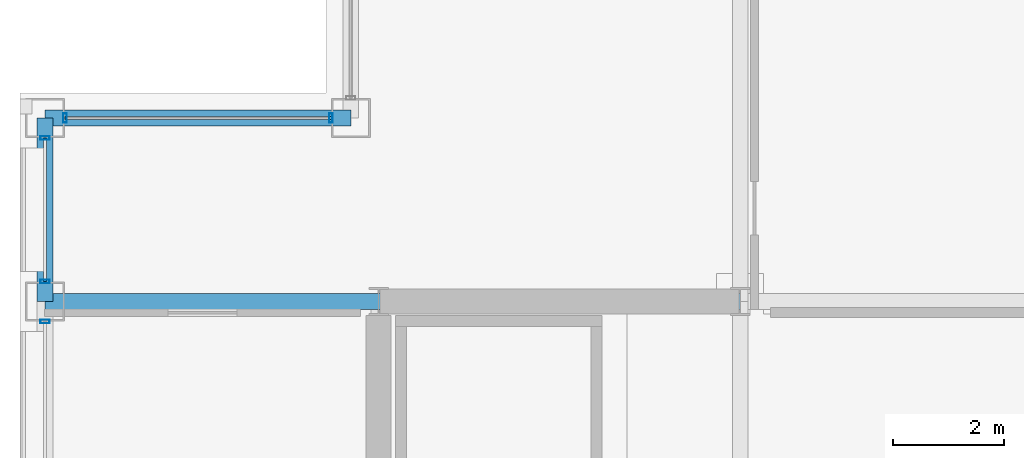
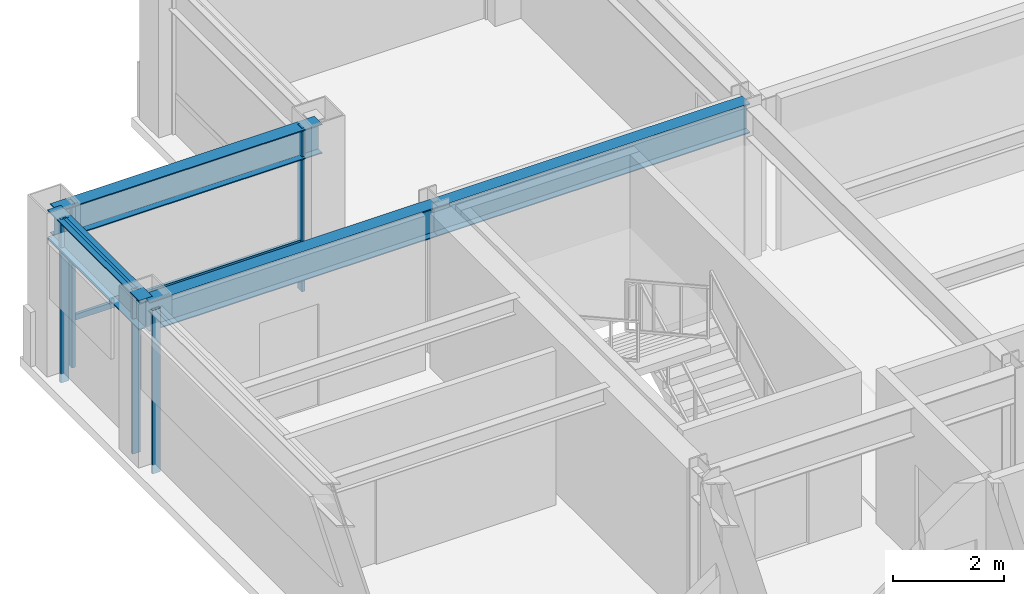
# One storey, part 10 of 28: 7 members, 4 beams, 3 elements without a shape of their own.
"""IFC4 building model written with IfcOpenShell, lengths in metres."""

from ifc_helpers import new_model, si_unit, direction, frame, origin, origin_2d, place, context, subcontext, project, spatial, hollow_rectangle, i_section, extrude, material, layer, layer_set, material_profile, profile_set, type_object, element, aggregate, save


model = new_model("IFC4")

# Units and contexts
model_context = context("Model", 3, precision=1e-05, world=origin(), true_north=direction((0.0, 1.0)))
body_context = subcontext(model_context, "Body", "Model", "MODEL_VIEW")
ifc_project = project(units=[si_unit("LENGTHUNIT", "METRE"), si_unit("AREAUNIT", "SQUARE_METRE"), si_unit("VOLUMEUNIT", "CUBIC_METRE"), si_unit("PLANEANGLEUNIT", "RADIAN"), si_unit("MASSUNIT", "GRAM", prefix="KILO")], contexts=[model_context])

# Site, building, storey
site_placement = place(None, origin())
site = spatial("IfcSite", under=ifc_project, at=site_placement, CompositionType="ELEMENT")
building_placement = place(site_placement, origin())
building = spatial("IfcBuilding", under=site, at=building_placement, Name="Brelmoor Portico Tower", CompositionType="ELEMENT")
storey_placement = place(building_placement, frame((0.0, 0.0, 191.10009765625)))
storey = spatial("IfcBuildingStorey", under=building, at=storey_placement, Name="L50", CompositionType="ELEMENT", Elevation=191.10009765625)

# Beams
ifc_material_1 = material(Name="Steel Q355B", Category="steel")
ifc_material_profile_1 = material_profile(ifc_material_1, i_section(OverallWidth=0.280029296875, OverallDepth=0.64990234375, WebThickness=0.012939453125, FlangeThickness=0.02197265625, at=origin_2d()), Name="HN 650x280x13x22")
ifc_profile_set_1 = profile_set([ifc_material_profile_1], Name="Steel Q355B")
beam_type_1 = type_object("IfcBeamType", Name="BM-PG-650", PredefinedType="BEAM", material=ifc_profile_set_1)
beam_1_placement = place(storey_placement, frame((-20.550048828125, 9.75, 3.074951171875), z_axis=(1.0, 0.0, 0.0), x_axis=(0.0, 1.0, 0.0)))
element("IfcBeam", 1, at=beam_1_placement, inside=storey, type_object=beam_type_1, Name="L50 Primary Floor Girder PG-19", PredefinedType="BEAM", context=body_context, shape_type="SweptSolid", body=[
    extrude(i_section(OverallWidth=0.280029296875, OverallDepth=0.64990234375, WebThickness=0.012939453125, FlangeThickness=0.02197265625, at=origin_2d()), origin(), (0.0, 0.0, 1.0), 6.0),
])
beam_2_placement = place(storey_placement, frame((-14.550048828125, 9.75, 3.074951171875), z_axis=(1.0, 0.0, 0.0), x_axis=(0.0, 1.0, 0.0)))
element("IfcBeam", 2, at=beam_2_placement, inside=storey, type_object=beam_type_1, Name="L50 Primary Floor Girder PG-20", PredefinedType="BEAM", context=body_context, shape_type="SweptSolid", body=[
    extrude(i_section(OverallWidth=0.280029296875, OverallDepth=0.64990234375, WebThickness=0.012939453125, FlangeThickness=0.02197265625, at=origin_2d()), origin(), (0.0, 0.0, 1.0), 6.5),
])
ifc_material_profile_2 = material_profile(ifc_material_1, i_section(OverallWidth=0.280029296875, OverallDepth=0.64990234375, WebThickness=0.012939453125, FlangeThickness=0.02197265625, at=origin_2d()), Name="HN 650x280x13x22")
ifc_profile_set_2 = profile_set([ifc_material_profile_2], Name="Steel Q355B")
beam_type_2 = type_object("IfcBeamType", Name="BM-SP-650", PredefinedType="SPANDREL", material=ifc_profile_set_2)
beam_3_placement = place(storey_placement, frame((-20.550048828125, 13.050048828125, 3.074951171875), z_axis=(1.0, 0.0, 0.0), x_axis=(0.0, 1.0, 0.0)))
element("IfcBeam", 3, at=beam_3_placement, inside=storey, type_object=beam_type_2, Name="L50 Perimeter Spandrel Beam SP-06", PredefinedType="SPANDREL", context=body_context, shape_type="SweptSolid", body=[
    extrude(i_section(OverallWidth=0.280029296875, OverallDepth=0.64990234375, WebThickness=0.012939453125, FlangeThickness=0.02197265625, at=origin_2d()), origin(), (0.0, 0.0, 1.0), 5.5),
])
beam_4_placement = place(storey_placement, frame((-20.550048828125, 9.75, 3.074951171875), z_axis=(0.0, 1.0, 0.0), x_axis=(-1.0, 0.0, 0.0)))
element("IfcBeam", 4, at=beam_4_placement, inside=storey, type_object=beam_type_2, Name="L50 Perimeter Spandrel Beam SP-13", PredefinedType="SPANDREL", context=body_context, shape_type="SweptSolid", body=[
    extrude(i_section(OverallWidth=0.280029296875, OverallDepth=0.64990234375, WebThickness=0.012939453125, FlangeThickness=0.02197265625, at=origin_2d()), origin(), (0.0, 0.0, 1.0), 3.300048828125),
])

# Curtain wall, member
ifc_material_2 = material(Name="Anodised Aluminium Alloy 6063-T6", Category="aluminium")
ifc_layer_1 = layer(ifc_material_2, 0.179931640625)
ifc_layer_set_1 = layer_set([ifc_layer_1], Name="Anodised Aluminium Alloy 6063-T6")
curtain_wall_type_1 = type_object("IfcCurtainWallType", Name="CW-TOWER-Z3-XB", PredefinedType="NOTDEFINED", material=ifc_layer_set_1)
curtain_wall_1_placement = place(storey_placement, origin())
curtain_wall_1 = element("IfcCurtainWall", 5, at=curtain_wall_1_placement, inside=storey, type_object=curtain_wall_type_1, Name="L50 Curtain Wall CW-L50-03-2", PredefinedType="NOTDEFINED")
ifc_material_profile_3 = material_profile(ifc_material_2, hollow_rectangle(XDim=0.06494140625, YDim=0.1650390625, WallThickness=0.00390625, at=origin_2d()), Name="ALU MULLION 65x165")
ifc_profile_set_3 = profile_set([ifc_material_profile_3], Name="Anodised Aluminium Alloy 6063-T6")
member_type_1 = type_object("IfcMemberType", Name="MB-CW-MULL-165", PredefinedType="MULLION", material=ifc_profile_set_3)
member_1_placement = place(storey_placement, frame((-20.550048828125, 9.389892578125, -0.2001953125), z_axis=(0.0, 0.0, 1.0), x_axis=(0.0, 1.0, 0.0)))
member_1 = element("IfcMember", 6, at=member_1_placement, type_object=member_type_1, Name="CW-L50-03-2 Mullion 02", PredefinedType="MULLION", context=body_context, shape_type="SweptSolid", body=[
    extrude(hollow_rectangle(XDim=0.06494140625, YDim=0.1650390625, WallThickness=0.00390625, at=origin_2d()), origin(), (0.0, 0.0, 1.0), 3.60009765625),
])
aggregate(curtain_wall_1, [member_1])

# Curtain wall, members
curtain_wall_2_placement = place(storey_placement, origin())
curtain_wall_2 = element("IfcCurtainWall", 7, at=curtain_wall_2_placement, inside=storey, type_object=curtain_wall_type_1, Name="L50 Curtain Wall CW-L50-03-3", PredefinedType="NOTDEFINED")
member_2_placement = place(storey_placement, frame((-20.550048828125, 10.110107421875, -0.2001953125), z_axis=(0.0, 0.0, 1.0), x_axis=(0.0, 1.0, 0.0)))
member_2 = element("IfcMember", 8, at=member_2_placement, type_object=member_type_1, Name="CW-L50-03-3 Mullion 00", PredefinedType="MULLION", context=body_context, shape_type="SweptSolid", body=[
    extrude(hollow_rectangle(XDim=0.06494140625, YDim=0.1650390625, WallThickness=0.00390625, at=origin_2d()), origin(), (0.0, 0.0, 1.0), 3.60009765625),
])
member_3_placement = place(storey_placement, frame((-20.550048828125, 12.68994140625, -0.2001953125), z_axis=(0.0, 0.0, 1.0), x_axis=(0.0, 1.0, 0.0)))
member_3 = element("IfcMember", 9, at=member_3_placement, type_object=member_type_1, Name="CW-L50-03-3 Mullion 01", PredefinedType="MULLION", context=body_context, shape_type="SweptSolid", body=[
    extrude(hollow_rectangle(XDim=0.06494140625, YDim=0.1650390625, WallThickness=0.00390625, at=origin_2d()), origin(), (0.0, 0.0, 1.0), 3.60009765625),
])

ifc_layer_2 = layer(ifc_material_2, 0.179931640625)
ifc_layer_set_2 = layer_set([ifc_layer_2], Name="Anodised Aluminium Alloy 6063-T6")
curtain_wall_type_2 = type_object("IfcCurtainWallType", Name="CW-NOTCH-CHAMFER", PredefinedType="NOTDEFINED", material=ifc_layer_set_2)
curtain_wall_3_placement = place(storey_placement, origin())
curtain_wall_3 = element("IfcCurtainWall", 10, at=curtain_wall_3_placement, inside=storey, type_object=curtain_wall_type_2, Name="L50 Curtain Wall CWN-L50-NWH", PredefinedType="NOTDEFINED")
member_4_placement = place(storey_placement, frame((-20.18994140625, 13.050048828125, -0.2001953125), z_axis=(0.0, 0.0, 1.0), x_axis=(1.0, 0.0, 0.0)))
member_4 = element("IfcMember", 11, at=member_4_placement, type_object=member_type_1, Name="CWN-L50-NWH Mullion 00", PredefinedType="MULLION", context=body_context, shape_type="SweptSolid", body=[
    extrude(hollow_rectangle(XDim=0.06494140625, YDim=0.1650390625, WallThickness=0.00390625, at=origin_2d()), origin(), (0.0, 0.0, 1.0), 3.60009765625),
])
member_5_placement = place(storey_placement, frame((-15.409912109375, 13.050048828125, -0.2001953125), z_axis=(0.0, 0.0, 1.0), x_axis=(1.0, 0.0, 0.0)))
member_5 = element("IfcMember", 12, at=member_5_placement, type_object=member_type_1, Name="CWN-L50-NWH Mullion 01", PredefinedType="MULLION", context=body_context, shape_type="SweptSolid", body=[
    extrude(hollow_rectangle(XDim=0.06494140625, YDim=0.1650390625, WallThickness=0.00390625, at=origin_2d()), origin(), (0.0, 0.0, 1.0), 3.60009765625),
])

# Member
ifc_material_profile_4 = material_profile(ifc_material_2, hollow_rectangle(XDim=0.06005859375, YDim=0.125, WallThickness=0.00341796875, at=origin_2d()), Name="ALU TRANSOM 60x125")
ifc_profile_set_4 = profile_set([ifc_material_profile_4], Name="Anodised Aluminium Alloy 6063-T6")
member_type_2 = type_object("IfcMemberType", Name="MB-CW-TRAN-125", PredefinedType="USERDEFINED", material=ifc_profile_set_4)
member_6_placement = place(storey_placement, frame((-20.550048828125, 10.110107421875, 3.33740234375), z_axis=(0.0, 1.0, 0.0), x_axis=(-1.0, 0.0, 0.0)))
member_6 = element("IfcMember", 13, at=member_6_placement, type_object=member_type_2, Name="CW-L50-03-3 Transom 1-00", ObjectType="TRANSOM", PredefinedType="USERDEFINED", context=body_context, shape_type="SweptSolid", body=[
    extrude(hollow_rectangle(XDim=0.06005859375, YDim=0.125, WallThickness=0.00341796875, at=origin_2d()), origin(), (0.0, 0.0, 1.0), 2.579833984375),
])

aggregate(curtain_wall_2, [member_2, member_3, member_6])

member_7_placement = place(storey_placement, frame((-20.18994140625, 13.050048828125, 0.849853515625), z_axis=(1.0, 0.0, 0.0), x_axis=(0.0, 1.0, 0.0)))
member_7 = element("IfcMember", 14, at=member_7_placement, type_object=member_type_2, Name="CWN-L50-NWH Transom 1-00", ObjectType="TRANSOM", PredefinedType="USERDEFINED", context=body_context, shape_type="SweptSolid", body=[
    extrude(hollow_rectangle(XDim=0.06005859375, YDim=0.125, WallThickness=0.00341796875, at=origin_2d()), origin(), (0.0, 0.0, 1.0), 4.780029296875),
])

aggregate(curtain_wall_3, [member_4, member_5, member_7])

save(model, "model.ifc")
